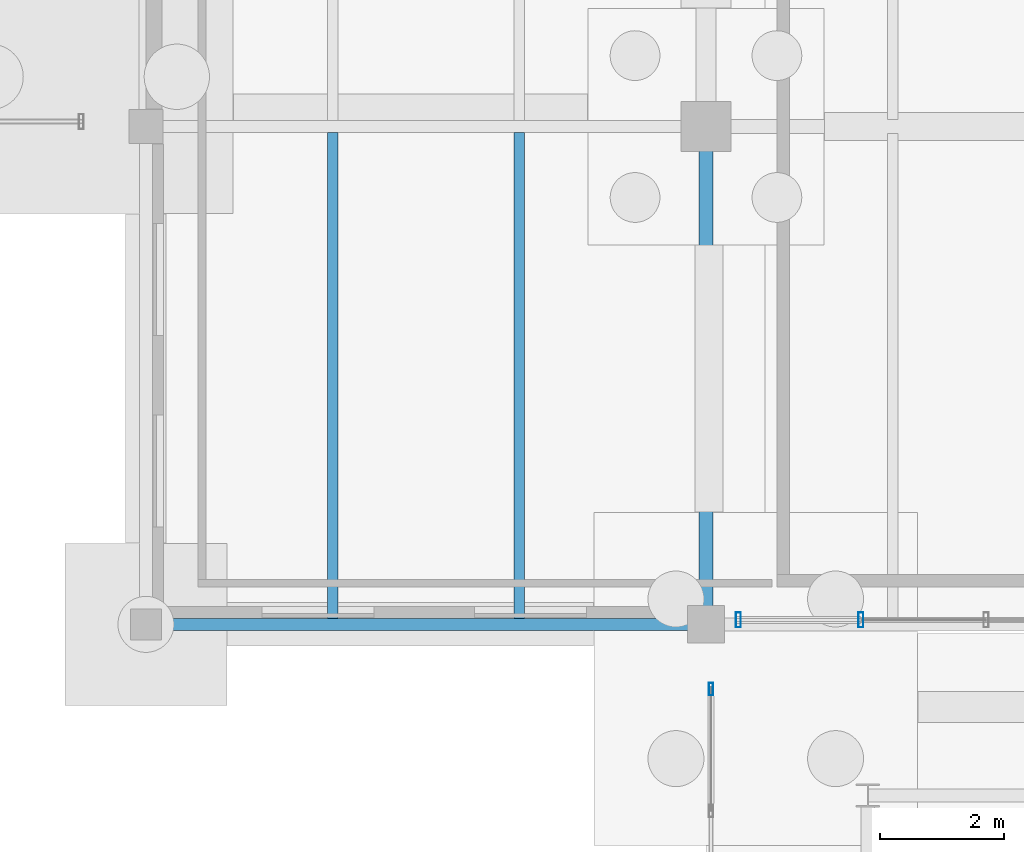
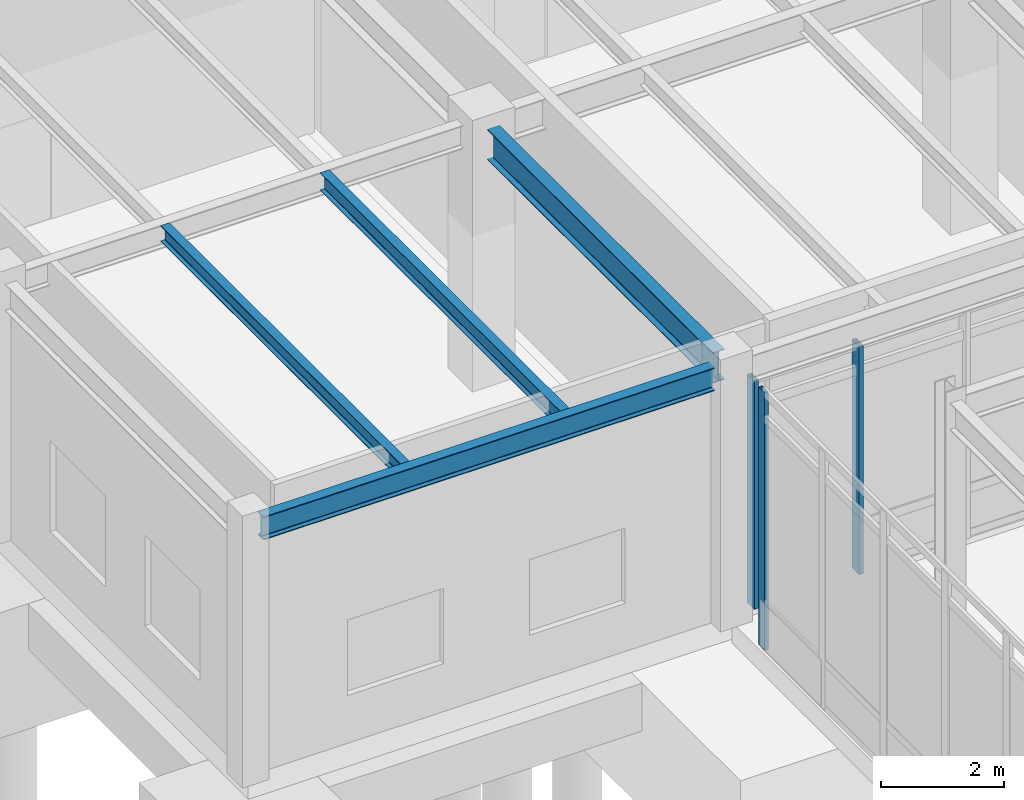
# One storey, part 96 of 203: 4 beams, 3 members, 2 elements without a shape of their own.
"""IFC4 building model written with IfcOpenShell, lengths in metres."""

from ifc_helpers import new_model, si_unit, direction, frame, origin, origin_2d, place, context, subcontext, project, spatial, hollow_rectangle, i_section, extrude, material, material_profile, profile_set, type_object, element, aggregate, save


model = new_model("IFC4")

# Units and contexts
model_context = context("Model", 3, precision=1e-05, world=origin(), true_north=direction((0.0, 1.0)))
body_context = subcontext(model_context, "Body", "Model", "MODEL_VIEW")
ifc_project = project(units=[si_unit("LENGTHUNIT", "METRE"), si_unit("AREAUNIT", "SQUARE_METRE"), si_unit("VOLUMEUNIT", "CUBIC_METRE"), si_unit("PLANEANGLEUNIT", "RADIAN"), si_unit("MASSUNIT", "GRAM", prefix="KILO"), si_unit("THERMODYNAMICTEMPERATUREUNIT", "KELVIN"), si_unit("POWERUNIT", "WATT")], contexts=[model_context])

# Site, building, storey
site_placement = place(None, origin())
site = spatial("IfcSite", under=ifc_project, at=site_placement, CompositionType="ELEMENT")
building_placement = place(site_placement, origin())
building = spatial("IfcBuilding", under=site, at=building_placement, Name="Tepalcoro Natatorium and Aquatics Centre", CompositionType="ELEMENT")
storey_placement = place(building_placement, origin())
storey = spatial("IfcBuildingStorey", under=building, at=storey_placement, Name="L00", CompositionType="ELEMENT", Elevation=0.0)

# Beam
ifc_material_1 = material(Name="Steel ASTM A992 Grade 50 (Fy 345 MPa)", Category="steel")
ifc_material_profile_1 = material_profile(ifc_material_1, i_section(OverallWidth=0.22802734375, OverallDepth=0.60693359375, WebThickness=0.010986328125, FlangeThickness=0.01708984375, FilletRadius=0.013916015625, at=origin_2d()), Name="W24X76")
ifc_profile_set_1 = profile_set([ifc_material_profile_1], Name="Steel ASTM A992 Grade 50 (Fy 345 MPa)")
beam_type_1 = type_object("IfcBeamType", Name="BM_W24x76", PredefinedType="BEAM", material=ifc_profile_set_1)
beam_1_placement = place(storey_placement, frame((107.0, 86.284912109375, 4.821533203125), z_axis=(0.0, 1.0, 0.0), x_axis=(-1.0, 0.0, 0.0)))
element("IfcBeam", 1, at=beam_1_placement, inside=storey, type_object=beam_type_1, Name="V5 L00 Grid Girder Y", PredefinedType="BEAM", context=body_context, shape_type="SweptSolid", body=[
    extrude(i_section(OverallWidth=0.22802734375, OverallDepth=0.60693359375, WebThickness=0.010986328125, FlangeThickness=0.01708984375, FilletRadius=0.013916015625, at=origin_2d()), origin(), (0.0, 0.0, 1.0), 7.330078125),
])

# Curtain wall, member
ifc_material_2 = material(Name="Bronze-Anodised Extruded Aluminium Alloy EN AW-6063 T6", Category="aluminium")
curtain_wall_type_1 = type_object("IfcCurtainWallType", Name="CW_LINK_150", PredefinedType="USERDEFINED", material=ifc_material_2)
curtain_wall_1_placement = place(storey_placement, origin())
curtain_wall_1 = element("IfcCurtainWall", 2, at=curtain_wall_1_placement, inside=storey, type_object=curtain_wall_type_1, Name="East Court Wellness Arcade Glazed Wall W L00", ObjectType="UNITISED STOREFRONT", PredefinedType="USERDEFINED")
ifc_material_profile_2 = material_profile(ifc_material_2, hollow_rectangle(XDim=0.070068359375, YDim=0.199951171875, WallThickness=0.0048828125, at=origin_2d()), Name="AL70X200X5")
ifc_profile_set_2 = profile_set([ifc_material_profile_2], Name="Bronze-Anodised Extruded Aluminium Alloy EN AW-6063 T6")
member_type_1 = type_object("IfcMemberType", Name="CW_MUL_70x200", PredefinedType="MULLION", material=ifc_profile_set_2)
member_1_placement = place(storey_placement, frame((107.080078125, 84.9599609375, 0.02001953125), z_axis=(0.0, 0.0, 1.0), x_axis=(1.0, 0.0, 0.0)))
member_1 = element("IfcMember", 3, at=member_1_placement, type_object=member_type_1, Name="CW_LINK_150 Curtain Wall Mullion", PredefinedType="MULLION", context=body_context, shape_type="SweptSolid", body=[
    extrude(hollow_rectangle(XDim=0.070068359375, YDim=0.199951171875, WallThickness=0.0048828125, at=origin_2d()), origin(), (0.0, 0.0, 1.0), 5.119873046875),
])
aggregate(curtain_wall_1, [member_1])

# Curtain wall, members
curtain_wall_type_2 = type_object("IfcCurtainWallType", Name="CW_V3_FOYER", PredefinedType="USERDEFINED", material=ifc_material_2)
curtain_wall_2_placement = place(storey_placement, origin())
curtain_wall_2 = element("IfcCurtainWall", 4, at=curtain_wall_2_placement, inside=storey, type_object=curtain_wall_type_2, Name="V5 L00 S Unitised Curtain Wall Bay 2", ObjectType="UNITISED STOREFRONT", PredefinedType="USERDEFINED")
ifc_material_profile_3 = material_profile(ifc_material_2, hollow_rectangle(XDim=0.080078125, YDim=0.239990234375, WallThickness=0.0048828125, at=origin_2d()), Name="AL80X240X5")
ifc_profile_set_3 = profile_set([ifc_material_profile_3], Name="Bronze-Anodised Extruded Aluminium Alloy EN AW-6063 T6")
member_type_2 = type_object("IfcMemberType", Name="CW_MUL_80x240", PredefinedType="MULLION", material=ifc_profile_set_3)
member_2_placement = place(storey_placement, frame((107.52001953125, 86.0712890625, 0.02001953125), z_axis=(0.0, 0.0, 1.0), x_axis=(1.0, 0.0, 0.0)))
member_2 = element("IfcMember", 5, at=member_2_placement, type_object=member_type_2, Name="CW_V3_FOYER Curtain Wall Mullion", PredefinedType="MULLION", context=body_context, shape_type="SweptSolid", body=[
    extrude(hollow_rectangle(XDim=0.080078125, YDim=0.239990234375, WallThickness=0.0048828125, at=origin_2d()), origin(), (0.0, 0.0, 1.0), 4.533935546875),
])
member_3_placement = place(storey_placement, frame((109.489990234375, 86.0712890625, 0.02001953125), z_axis=(0.0, 0.0, 1.0), x_axis=(1.0, 0.0, 0.0)))
member_3 = element("IfcMember", 6, at=member_3_placement, type_object=member_type_2, Name="CW_V3_FOYER Curtain Wall Mullion", PredefinedType="MULLION", context=body_context, shape_type="SweptSolid", body=[
    extrude(hollow_rectangle(XDim=0.080078125, YDim=0.239990234375, WallThickness=0.0048828125, at=origin_2d()), origin(), (0.0, 0.0, 1.0), 4.533935546875),
])
aggregate(curtain_wall_2, [member_2, member_3])

# Beams
ifc_material_profile_4 = material_profile(ifc_material_1, i_section(OverallWidth=0.1669921875, OverallDepth=0.318115234375, WebThickness=0.008056640625, FlangeThickness=0.012939453125, FilletRadius=0.013916015625, at=origin_2d()), Name="W12X35")
ifc_profile_set_4 = profile_set([ifc_material_profile_4], Name="Steel ASTM A992 Grade 50 (Fy 345 MPa)")
beam_type_2 = type_object("IfcBeamType", Name="JS_W12x35", PredefinedType="JOIST", material=ifc_profile_set_4)
beam_2_placement = place(storey_placement, frame((101.0, 86.095458984375, 4.966064453125), z_axis=(0.0, 1.0, 0.0), x_axis=(-1.0, 0.0, 0.0)))
element("IfcBeam", 7, at=beam_2_placement, inside=storey, type_object=beam_type_2, Name="V5 L00 Floor Joist", PredefinedType="JOIST", context=body_context, shape_type="SweptSolid", body=[
    extrude(i_section(OverallWidth=0.1669921875, OverallDepth=0.318115234375, WebThickness=0.008056640625, FlangeThickness=0.012939453125, FilletRadius=0.013916015625, at=origin_2d()), origin(), (0.0, 0.0, 1.0), 7.80810546875),
])
ifc_material_profile_5 = material_profile(ifc_material_1, i_section(OverallWidth=0.1708984375, OverallDepth=0.35107421875, WebThickness=0.007080078125, FlangeThickness=0.010009765625, FilletRadius=0.013916015625, at=origin_2d()), Name="W14X30")
ifc_profile_set_5 = profile_set([ifc_material_profile_5], Name="Steel ASTM A992 Grade 50 (Fy 345 MPa)")
beam_type_3 = type_object("IfcBeamType", Name="JS_W14x30", PredefinedType="JOIST", material=ifc_profile_set_5)
beam_3_placement = place(storey_placement, frame((104.0, 86.095458984375, 4.949462890625), z_axis=(0.0, 1.0, 0.0), x_axis=(-1.0, 0.0, 0.0)))
element("IfcBeam", 8, at=beam_3_placement, inside=storey, type_object=beam_type_3, Name="V5 L00 Floor Joist", PredefinedType="JOIST", context=body_context, shape_type="SweptSolid", body=[
    extrude(i_section(OverallWidth=0.1708984375, OverallDepth=0.35107421875, WebThickness=0.007080078125, FlangeThickness=0.010009765625, FilletRadius=0.013916015625, at=origin_2d()), origin(), (0.0, 0.0, 1.0), 7.80810546875),
])
ifc_material_profile_6 = material_profile(ifc_material_1, i_section(OverallWidth=0.19091796875, OverallDepth=0.4599609375, WebThickness=0.010009765625, FlangeThickness=0.01611328125, FilletRadius=0.013916015625, at=origin_2d()), Name="W18X55")
ifc_profile_set_6 = profile_set([ifc_material_profile_6], Name="Steel ASTM A992 Grade 50 (Fy 345 MPa)")
beam_type_4 = type_object("IfcBeamType", Name="SP_W18x55", PredefinedType="SPANDREL", material=ifc_profile_set_6)
beam_4_placement = place(storey_placement, frame((98.235107421875, 86.0, 4.89501953125), z_axis=(1.0, 0.0, 0.0), x_axis=(0.0, 1.0, 0.0)))
element("IfcBeam", 9, at=beam_4_placement, inside=storey, type_object=beam_type_4, Name="V5 L00 Grid Girder X", PredefinedType="SPANDREL", context=body_context, shape_type="SweptSolid", body=[
    extrude(i_section(OverallWidth=0.19091796875, OverallDepth=0.4599609375, WebThickness=0.010009765625, FlangeThickness=0.01611328125, FilletRadius=0.013916015625, at=origin_2d()), origin(), (0.0, 0.0, 1.0), 8.47998046875),
])

save(model, "model.ifc")
